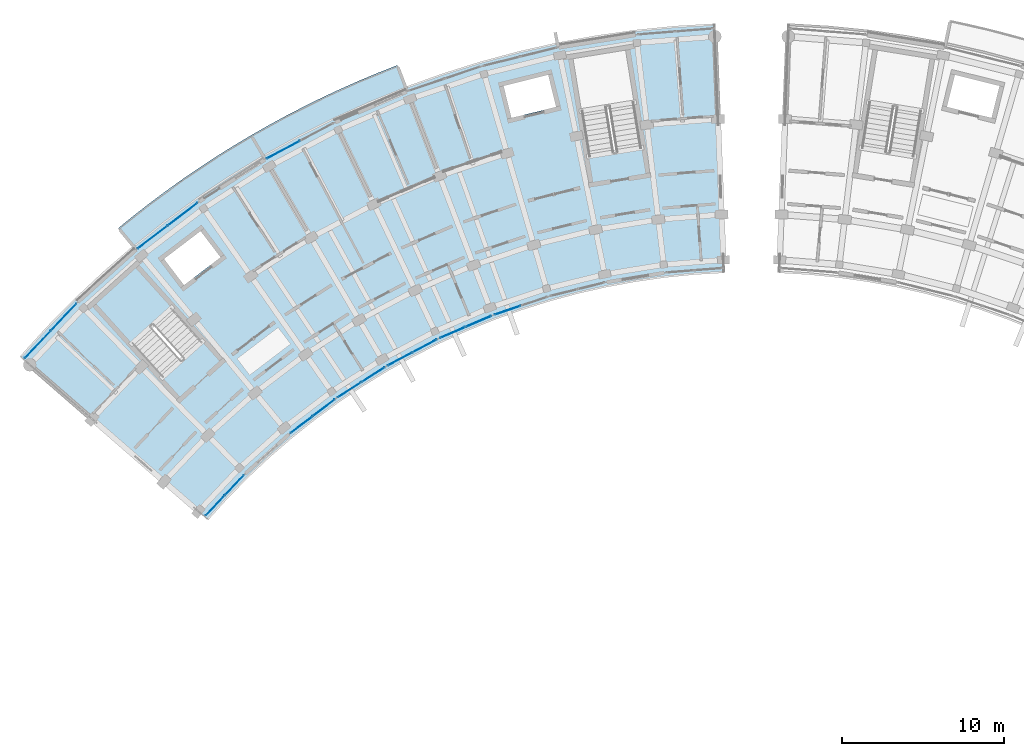
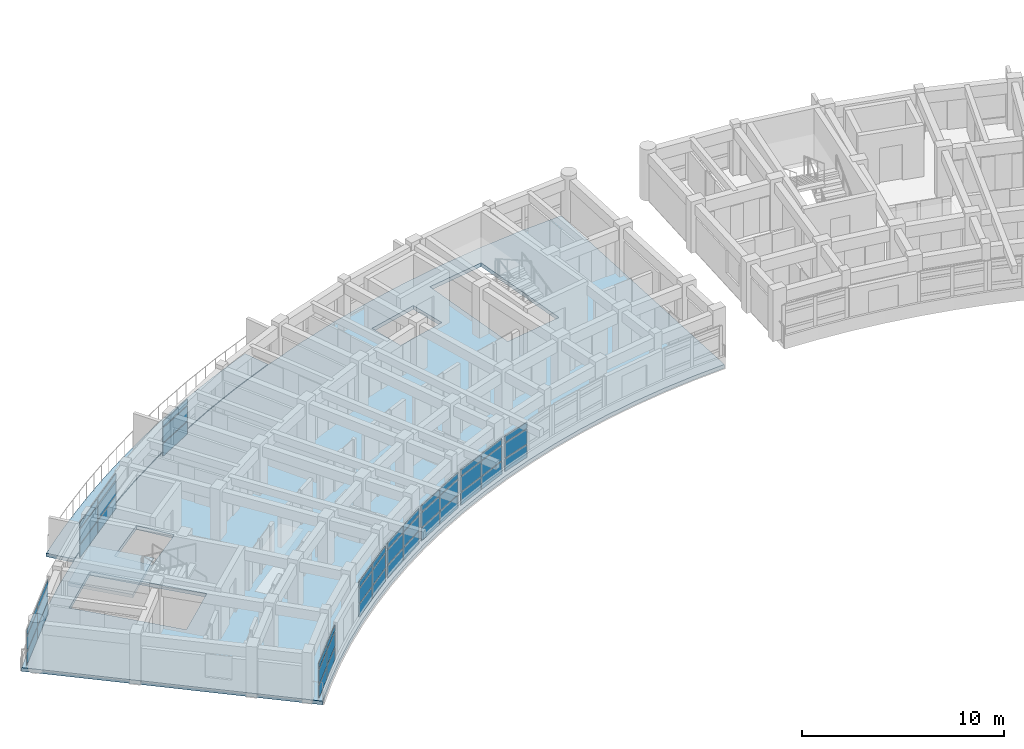
# One storey, part 21 of 55: 48 plates, 3 slabs, 10 elements without a shape of their own.
"""IFC4 building model written with IfcOpenShell, lengths in metres."""

from ifc_helpers import new_model, si_unit, direction, frame, origin, origin_2d, place, context, subcontext, project, spatial, polyline, rectangle, outline, extrude, material, layer, layer_set, type_object, element, aggregate, save


model = new_model("IFC4")

# Units and contexts
model_context = context("Model", 3, precision=1e-05, world=origin(), true_north=direction((0.0, 1.0)))
body_context = subcontext(model_context, "Body", "Model", "MODEL_VIEW")
ifc_project = project(units=[si_unit("LENGTHUNIT", "METRE"), si_unit("AREAUNIT", "SQUARE_METRE"), si_unit("VOLUMEUNIT", "CUBIC_METRE"), si_unit("PLANEANGLEUNIT", "RADIAN"), si_unit("MASSUNIT", "GRAM", prefix="KILO")], contexts=[model_context])

# Site, building, storey
site_placement = place(None, origin())
site = spatial("IfcSite", under=ifc_project, at=site_placement, CompositionType="ELEMENT")
building_placement = place(site_placement, origin())
building = spatial("IfcBuilding", under=site, at=building_placement, Name="Zimvara Arc Housing Community", CompositionType="ELEMENT")
storey_placement = place(building_placement, frame((0.0, 0.0, 14.300048828125)))
storey = spatial("IfcBuildingStorey", under=building, at=storey_placement, Name="L04", CompositionType="ELEMENT", Elevation=14.300048828125)

# Curtain wall, plates
ifc_material_1 = material(Name="Anodised Aluminium AW-6063", Category="aluminium")
curtain_wall_type_1 = type_object("IfcCurtainWallType", Name="CW-SYS-08", PredefinedType="USERDEFINED", material=ifc_material_1)
curtain_wall_1_placement = place(storey_placement, origin())
curtain_wall_1 = element("IfcCurtainWall", 1, at=curtain_wall_1_placement, inside=storey, type_object=curtain_wall_type_1, Name="cw:blkA:L04:in:b2", ObjectType="CURTAIN WALL", PredefinedType="USERDEFINED")
ifc_material_2 = material(Name="Pale-Gold Anodised Aluminium Spandrel Panel", Category="aluminium")
ifc_layer_1 = layer(ifc_material_2, 0.035888671875)
ifc_layer_set_1 = layer_set([ifc_layer_1], Name="Pale-Gold Anodised Aluminium Spandrel Panel")
plate_type_1 = type_object("IfcPlateType", Name="CWP-GLD-36", PredefinedType="CURTAIN_PANEL", material=ifc_layer_set_1)
plate_1_placement = place(storey_placement, frame((17.295654296875, 79.4404296875, 0.06494140625), z_axis=(0.0, 0.0, 1.0), x_axis=(0.795473543119, 0.605988318533, 0.0)))
plate_1 = element("IfcPlate", 2, at=plate_1_placement, type_object=plate_type_1, Name="CW08 panel 1.1", PredefinedType="CURTAIN_PANEL", context=body_context, shape_type="SweptSolid", body=[
    extrude(rectangle(XDim=1.664306640625, YDim=0.035888671875, at=origin_2d()), origin(), (0.0, 0.0, 1.0), 0.75244140625),
])
plate_2_placement = place(storey_placement, frame((17.295654296875, 79.4404296875, 0.88232421875), z_axis=(0.0, 0.0, 1.0), x_axis=(0.795473543119, 0.605988318533, 0.0)))
plate_2 = element("IfcPlate", 3, at=plate_2_placement, type_object=plate_type_1, Name="CW08 panel 1.2", PredefinedType="CURTAIN_PANEL", context=body_context, shape_type="SweptSolid", body=[
    extrude(rectangle(XDim=1.664306640625, YDim=0.035888671875, at=origin_2d()), origin(), (0.0, 0.0, 1.0), 0.885009765625),
])
plate_3_placement = place(storey_placement, frame((17.295654296875, 79.4404296875, 1.83251953125), z_axis=(0.0, 0.0, 1.0), x_axis=(0.795473543119, 0.605988318533, 0.0)))
plate_3 = element("IfcPlate", 4, at=plate_3_placement, type_object=plate_type_1, Name="CW08 panel 1.3", PredefinedType="CURTAIN_PANEL", context=body_context, shape_type="SweptSolid", body=[
    extrude(rectangle(XDim=1.664306640625, YDim=0.035888671875, at=origin_2d()), origin(), (0.0, 0.0, 1.0), 0.3525390625),
])
plate_4_placement = place(storey_placement, frame((18.671142578125, 80.48828125, 0.06494140625), z_axis=(0.0, 0.0, 1.0), x_axis=(0.795473543119, 0.605988318533, 0.0)))
plate_4 = element("IfcPlate", 5, at=plate_4_placement, type_object=plate_type_1, Name="CW08 panel 2.1", PredefinedType="CURTAIN_PANEL", context=body_context, shape_type="SweptSolid", body=[
    extrude(rectangle(XDim=1.664306640625, YDim=0.035888671875, at=origin_2d()), origin(), (0.0, 0.0, 1.0), 0.75244140625),
])
plate_5_placement = place(storey_placement, frame((18.671142578125, 80.48828125, 0.88232421875), z_axis=(0.0, 0.0, 1.0), x_axis=(0.795473543119, 0.605988318533, 0.0)))
plate_5 = element("IfcPlate", 6, at=plate_5_placement, type_object=plate_type_1, Name="CW08 panel 2.2", PredefinedType="CURTAIN_PANEL", context=body_context, shape_type="SweptSolid", body=[
    extrude(rectangle(XDim=1.664306640625, YDim=0.035888671875, at=origin_2d()), origin(), (0.0, 0.0, 1.0), 0.885009765625),
])
plate_6_placement = place(storey_placement, frame((18.671142578125, 80.48828125, 1.83251953125), z_axis=(0.0, 0.0, 1.0), x_axis=(0.795473543119, 0.605988318533, 0.0)))
plate_6 = element("IfcPlate", 7, at=plate_6_placement, type_object=plate_type_1, Name="CW08 panel 2.3", PredefinedType="CURTAIN_PANEL", context=body_context, shape_type="SweptSolid", body=[
    extrude(rectangle(XDim=1.664306640625, YDim=0.035888671875, at=origin_2d()), origin(), (0.0, 0.0, 1.0), 0.3525390625),
])
aggregate(curtain_wall_1, [plate_1, plate_2, plate_3, plate_4, plate_5, plate_6])

ifc_material_3 = material(Name="Anodised Aluminium AW-6063", Category="aluminium")
curtain_wall_type_2 = type_object("IfcCurtainWallType", Name="CW-SYS-04", PredefinedType="USERDEFINED", material=ifc_material_3)
curtain_wall_2_placement = place(storey_placement, origin())
curtain_wall_2 = element("IfcCurtainWall", 8, at=curtain_wall_2_placement, inside=storey, type_object=curtain_wall_type_2, Name="cw:blkA:L04:in:b5", ObjectType="CURTAIN WALL", PredefinedType="USERDEFINED")
plate_7_placement = place(storey_placement, frame((26.599609375, 85.11767578125, 0.06494140625), z_axis=(0.0, 0.0, 1.0), x_axis=(0.918722178415, 0.394904493375, 0.0)))
plate_7 = element("IfcPlate", 9, at=plate_7_placement, type_object=plate_type_1, Name="CW04 panel 1.1", PredefinedType="CURTAIN_PANEL", context=body_context, shape_type="SweptSolid", body=[
    extrude(rectangle(XDim=1.664306640625, YDim=0.035888671875, at=origin_2d()), origin(), (0.0, 0.0, 1.0), 0.75244140625),
])
plate_8_placement = place(storey_placement, frame((26.599609375, 85.11767578125, 0.88232421875), z_axis=(0.0, 0.0, 1.0), x_axis=(0.918722178415, 0.394904493375, 0.0)))
plate_8 = element("IfcPlate", 10, at=plate_8_placement, type_object=plate_type_1, Name="CW04 panel 1.2", PredefinedType="CURTAIN_PANEL", context=body_context, shape_type="SweptSolid", body=[
    extrude(rectangle(XDim=1.664306640625, YDim=0.035888671875, at=origin_2d()), origin(), (0.0, 0.0, 1.0), 0.885009765625),
])
plate_9_placement = place(storey_placement, frame((26.599609375, 85.11767578125, 1.83251953125), z_axis=(0.0, 0.0, 1.0), x_axis=(0.918722178415, 0.394904493375, 0.0)))
plate_9 = element("IfcPlate", 11, at=plate_9_placement, type_object=plate_type_1, Name="CW04 panel 1.3", PredefinedType="CURTAIN_PANEL", context=body_context, shape_type="SweptSolid", body=[
    extrude(rectangle(XDim=1.664306640625, YDim=0.035888671875, at=origin_2d()), origin(), (0.0, 0.0, 1.0), 0.3525390625),
])
plate_10_placement = place(storey_placement, frame((28.1884765625, 85.80078125, 0.06494140625), z_axis=(0.0, 0.0, 1.0), x_axis=(0.918722178415, 0.394904493375, 0.0)))
plate_10 = element("IfcPlate", 12, at=plate_10_placement, type_object=plate_type_1, Name="CW04 panel 2.1", PredefinedType="CURTAIN_PANEL", context=body_context, shape_type="SweptSolid", body=[
    extrude(rectangle(XDim=1.664306640625, YDim=0.035888671875, at=origin_2d()), origin(), (0.0, 0.0, 1.0), 0.75244140625),
])
plate_11_placement = place(storey_placement, frame((28.1884765625, 85.80078125, 0.88232421875), z_axis=(0.0, 0.0, 1.0), x_axis=(0.918722178415, 0.394904493375, 0.0)))
plate_11 = element("IfcPlate", 13, at=plate_11_placement, type_object=plate_type_1, Name="CW04 panel 2.2", PredefinedType="CURTAIN_PANEL", context=body_context, shape_type="SweptSolid", body=[
    extrude(rectangle(XDim=1.664306640625, YDim=0.035888671875, at=origin_2d()), origin(), (0.0, 0.0, 1.0), 0.885009765625),
])
plate_12_placement = place(storey_placement, frame((28.1884765625, 85.80078125, 1.83251953125), z_axis=(0.0, 0.0, 1.0), x_axis=(0.918722178415, 0.394904493375, 0.0)))
plate_12 = element("IfcPlate", 14, at=plate_12_placement, type_object=plate_type_1, Name="CW04 panel 2.3", PredefinedType="CURTAIN_PANEL", context=body_context, shape_type="SweptSolid", body=[
    extrude(rectangle(XDim=1.664306640625, YDim=0.035888671875, at=origin_2d()), origin(), (0.0, 0.0, 1.0), 0.3525390625),
])
aggregate(curtain_wall_2, [plate_7, plate_8, plate_9, plate_10, plate_11, plate_12])

ifc_material_4 = material(Name="Anodised Aluminium AW-6063", Category="aluminium")
curtain_wall_type_3 = type_object("IfcCurtainWallType", Name="CW-SYS-05", PredefinedType="USERDEFINED", material=ifc_material_4)
curtain_wall_3_placement = place(storey_placement, origin())
curtain_wall_3 = element("IfcCurtainWall", 15, at=curtain_wall_3_placement, inside=storey, type_object=curtain_wall_type_3, Name="cw:blkA:L04:out:b0", ObjectType="CURTAIN WALL", PredefinedType="USERDEFINED")
ifc_material_5 = material(Name="Solar Control Low-E Double Glazing", Category="glass")
ifc_layer_2 = layer(ifc_material_5, 0.02392578125)
ifc_layer_set_2 = layer_set([ifc_layer_2], Name="Solar Control Low-E Double Glazing")
plate_type_2 = type_object("IfcPlateType", Name="CWP-GLZ-24", PredefinedType="CURTAIN_PANEL", material=ifc_layer_set_2)
plate_13_placement = place(storey_placement, frame((1.049072265625, 84.3720703125, 0.06494140625), z_axis=(0.0, 0.0, 1.0), x_axis=(0.686326416495, 0.727293647725, 0.0)))
plate_13 = element("IfcPlate", 16, at=plate_13_placement, type_object=plate_type_2, Name="CW05 panel 1.1", PredefinedType="CURTAIN_PANEL", context=body_context, shape_type="SweptSolid", body=[
    extrude(rectangle(XDim=2.266845703125, YDim=0.02392578125, at=origin_2d()), origin(), (0.0, 0.0, 1.0), 0.75244140625),
])
plate_14_placement = place(storey_placement, frame((1.049072265625, 84.3720703125, 0.88232421875), z_axis=(0.0, 0.0, 1.0), x_axis=(0.686326416495, 0.727293647725, 0.0)))
plate_14 = element("IfcPlate", 17, at=plate_14_placement, type_object=plate_type_2, Name="CW05 panel 1.2", PredefinedType="CURTAIN_PANEL", context=body_context, shape_type="SweptSolid", body=[
    extrude(rectangle(XDim=2.266845703125, YDim=0.02392578125, at=origin_2d()), origin(), (0.0, 0.0, 1.0), 0.885009765625),
])
plate_15_placement = place(storey_placement, frame((1.049072265625, 84.3720703125, 1.83251953125), z_axis=(0.0, 0.0, 1.0), x_axis=(0.686326416495, 0.727293647725, 0.0)))
plate_15 = element("IfcPlate", 18, at=plate_15_placement, type_object=plate_type_2, Name="CW05 panel 1.3", PredefinedType="CURTAIN_PANEL", context=body_context, shape_type="SweptSolid", body=[
    extrude(rectangle(XDim=2.266845703125, YDim=0.02392578125, at=origin_2d()), origin(), (0.0, 0.0, 1.0), 0.3525390625),
])
plate_16_placement = place(storey_placement, frame((2.649658203125, 86.068115234375, 0.06494140625), z_axis=(0.0, 0.0, 1.0), x_axis=(0.686326416495, 0.727293647725, 0.0)))
plate_16 = element("IfcPlate", 19, at=plate_16_placement, type_object=plate_type_2, Name="CW05 panel 2.1", PredefinedType="CURTAIN_PANEL", context=body_context, shape_type="SweptSolid", body=[
    extrude(rectangle(XDim=2.266845703125, YDim=0.02392578125, at=origin_2d()), origin(), (0.0, 0.0, 1.0), 0.75244140625),
])
plate_17_placement = place(storey_placement, frame((2.649658203125, 86.068115234375, 0.88232421875), z_axis=(0.0, 0.0, 1.0), x_axis=(0.686326416495, 0.727293647725, 0.0)))
plate_17 = element("IfcPlate", 20, at=plate_17_placement, type_object=plate_type_2, Name="CW05 panel 2.2", PredefinedType="CURTAIN_PANEL", context=body_context, shape_type="SweptSolid", body=[
    extrude(rectangle(XDim=2.266845703125, YDim=0.02392578125, at=origin_2d()), origin(), (0.0, 0.0, 1.0), 0.885009765625),
])
plate_18_placement = place(storey_placement, frame((2.649658203125, 86.068115234375, 1.83251953125), z_axis=(0.0, 0.0, 1.0), x_axis=(0.686326416495, 0.727293647725, 0.0)))
plate_18 = element("IfcPlate", 21, at=plate_18_placement, type_object=plate_type_2, Name="CW05 panel 2.3", PredefinedType="CURTAIN_PANEL", context=body_context, shape_type="SweptSolid", body=[
    extrude(rectangle(XDim=2.266845703125, YDim=0.02392578125, at=origin_2d()), origin(), (0.0, 0.0, 1.0), 0.3525390625),
])
aggregate(curtain_wall_3, [plate_13, plate_14, plate_15, plate_16, plate_17, plate_18])

ifc_material_6 = material(Name="Anodised Aluminium AW-6063", Category="aluminium")
curtain_wall_type_4 = type_object("IfcCurtainWallType", Name="CW-SYS-01", PredefinedType="USERDEFINED", material=ifc_material_6)
curtain_wall_4_placement = place(storey_placement, origin())
curtain_wall_4 = element("IfcCurtainWall", 22, at=curtain_wall_4_placement, inside=storey, type_object=curtain_wall_type_4, Name="cw:blkA:L04:in:b3", ObjectType="CURTAIN WALL", PredefinedType="USERDEFINED")
plate_19_placement = place(storey_placement, frame((20.23876953125, 81.58447265625, 0.06494140625), z_axis=(0.0, 0.0, 1.0), x_axis=(0.842264751752, 0.539064085203, 0.0)))
plate_19 = element("IfcPlate", 23, at=plate_19_placement, type_object=plate_type_2, Name="CW01 panel 1.1", PredefinedType="CURTAIN_PANEL", context=body_context, shape_type="SweptSolid", body=[
    extrude(rectangle(XDim=1.664306640625, YDim=0.02392578125, at=origin_2d()), origin(), (0.0, 0.0, 1.0), 0.75244140625),
])
plate_20_placement = place(storey_placement, frame((20.23876953125, 81.58447265625, 0.88232421875), z_axis=(0.0, 0.0, 1.0), x_axis=(0.842264751752, 0.539064085203, 0.0)))
plate_20 = element("IfcPlate", 24, at=plate_20_placement, type_object=plate_type_2, Name="CW01 panel 1.2", PredefinedType="CURTAIN_PANEL", context=body_context, shape_type="SweptSolid", body=[
    extrude(rectangle(XDim=1.664306640625, YDim=0.02392578125, at=origin_2d()), origin(), (0.0, 0.0, 1.0), 0.885009765625),
])
plate_21_placement = place(storey_placement, frame((20.23876953125, 81.58447265625, 1.83251953125), z_axis=(0.0, 0.0, 1.0), x_axis=(0.842264751752, 0.539064085203, 0.0)))
plate_21 = element("IfcPlate", 25, at=plate_21_placement, type_object=plate_type_2, Name="CW01 panel 1.3", PredefinedType="CURTAIN_PANEL", context=body_context, shape_type="SweptSolid", body=[
    extrude(rectangle(XDim=1.664306640625, YDim=0.02392578125, at=origin_2d()), origin(), (0.0, 0.0, 1.0), 0.3525390625),
])
plate_22_placement = place(storey_placement, frame((21.6953125, 82.5166015625, 0.06494140625), z_axis=(0.0, 0.0, 1.0), x_axis=(0.842264751752, 0.539064085203, 0.0)))
plate_22 = element("IfcPlate", 26, at=plate_22_placement, type_object=plate_type_2, Name="CW01 panel 2.1", PredefinedType="CURTAIN_PANEL", context=body_context, shape_type="SweptSolid", body=[
    extrude(rectangle(XDim=1.664306640625, YDim=0.02392578125, at=origin_2d()), origin(), (0.0, 0.0, 1.0), 0.75244140625),
])
plate_23_placement = place(storey_placement, frame((21.6953125, 82.5166015625, 0.88232421875), z_axis=(0.0, 0.0, 1.0), x_axis=(0.842264751752, 0.539064085203, 0.0)))
plate_23 = element("IfcPlate", 27, at=plate_23_placement, type_object=plate_type_2, Name="CW01 panel 2.2", PredefinedType="CURTAIN_PANEL", context=body_context, shape_type="SweptSolid", body=[
    extrude(rectangle(XDim=1.664306640625, YDim=0.02392578125, at=origin_2d()), origin(), (0.0, 0.0, 1.0), 0.885009765625),
])
plate_24_placement = place(storey_placement, frame((21.6953125, 82.5166015625, 1.83251953125), z_axis=(0.0, 0.0, 1.0), x_axis=(0.842264751752, 0.539064085203, 0.0)))
plate_24 = element("IfcPlate", 28, at=plate_24_placement, type_object=plate_type_2, Name="CW01 panel 2.3", PredefinedType="CURTAIN_PANEL", context=body_context, shape_type="SweptSolid", body=[
    extrude(rectangle(XDim=1.664306640625, YDim=0.02392578125, at=origin_2d()), origin(), (0.0, 0.0, 1.0), 0.3525390625),
])
aggregate(curtain_wall_4, [plate_19, plate_20, plate_21, plate_22, plate_23, plate_24])

ifc_material_7 = material(Name="Anodised Aluminium AW-6063", Category="aluminium")
curtain_wall_type_5 = type_object("IfcCurtainWallType", Name="CW-SYS-06", PredefinedType="USERDEFINED", material=ifc_material_7)
curtain_wall_5_placement = place(storey_placement, origin())
curtain_wall_5 = element("IfcCurtainWall", 29, at=curtain_wall_5_placement, inside=storey, type_object=curtain_wall_type_5, Name="cw:blkA:L04:in:b0", ObjectType="CURTAIN WALL", PredefinedType="USERDEFINED")
ifc_material_8 = material(Name="Solar Control Low-E Double Glazing", Category="glass")
ifc_layer_3 = layer(ifc_material_8, 0.028076171875)
ifc_layer_set_3 = layer_set([ifc_layer_3], Name="Solar Control Low-E Double Glazing")
plate_type_3 = type_object("IfcPlateType", Name="CWP-GLZ-28", PredefinedType="CURTAIN_PANEL", material=ifc_layer_set_3)
plate_25_placement = place(storey_placement, frame((11.981689453125, 74.469482421875, 0.06494140625), z_axis=(0.0, 0.0, 1.0), x_axis=(0.686326805658, 0.727293280483, 0.0)))
plate_25 = element("IfcPlate", 30, at=plate_25_placement, type_object=plate_type_3, Name="CW06 panel 1.1", PredefinedType="CURTAIN_PANEL", context=body_context, shape_type="SweptSolid", body=[
    extrude(rectangle(XDim=1.664306640625, YDim=0.028076171875, at=origin_2d()), origin(), (0.0, 0.0, 1.0), 0.75244140625),
])
plate_26_placement = place(storey_placement, frame((11.981689453125, 74.469482421875, 0.88232421875), z_axis=(0.0, 0.0, 1.0), x_axis=(0.686326805658, 0.727293280483, 0.0)))
plate_26 = element("IfcPlate", 31, at=plate_26_placement, type_object=plate_type_3, Name="CW06 panel 1.2", PredefinedType="CURTAIN_PANEL", context=body_context, shape_type="SweptSolid", body=[
    extrude(rectangle(XDim=1.664306640625, YDim=0.028076171875, at=origin_2d()), origin(), (0.0, 0.0, 1.0), 0.885009765625),
])
plate_27_placement = place(storey_placement, frame((11.981689453125, 74.469482421875, 1.83251953125), z_axis=(0.0, 0.0, 1.0), x_axis=(0.686326805658, 0.727293280483, 0.0)))
plate_27 = element("IfcPlate", 32, at=plate_27_placement, type_object=plate_type_3, Name="CW06 panel 1.3", PredefinedType="CURTAIN_PANEL", context=body_context, shape_type="SweptSolid", body=[
    extrude(rectangle(XDim=1.664306640625, YDim=0.028076171875, at=origin_2d()), origin(), (0.0, 0.0, 1.0), 0.3525390625),
])
plate_28_placement = place(storey_placement, frame((13.168701171875, 75.727294921875, 0.06494140625), z_axis=(0.0, 0.0, 1.0), x_axis=(0.686326805658, 0.727293280483, 0.0)))
plate_28 = element("IfcPlate", 33, at=plate_28_placement, type_object=plate_type_3, Name="CW06 panel 2.1", PredefinedType="CURTAIN_PANEL", context=body_context, shape_type="SweptSolid", body=[
    extrude(rectangle(XDim=1.664306640625, YDim=0.028076171875, at=origin_2d()), origin(), (0.0, 0.0, 1.0), 0.75244140625),
])
plate_29_placement = place(storey_placement, frame((13.168701171875, 75.727294921875, 0.88232421875), z_axis=(0.0, 0.0, 1.0), x_axis=(0.686326805658, 0.727293280483, 0.0)))
plate_29 = element("IfcPlate", 34, at=plate_29_placement, type_object=plate_type_3, Name="CW06 panel 2.2", PredefinedType="CURTAIN_PANEL", context=body_context, shape_type="SweptSolid", body=[
    extrude(rectangle(XDim=1.664306640625, YDim=0.028076171875, at=origin_2d()), origin(), (0.0, 0.0, 1.0), 0.885009765625),
])
plate_30_placement = place(storey_placement, frame((13.168701171875, 75.727294921875, 1.83251953125), z_axis=(0.0, 0.0, 1.0), x_axis=(0.686326805658, 0.727293280483, 0.0)))
plate_30 = element("IfcPlate", 35, at=plate_30_placement, type_object=plate_type_3, Name="CW06 panel 2.3", PredefinedType="CURTAIN_PANEL", context=body_context, shape_type="SweptSolid", body=[
    extrude(rectangle(XDim=1.664306640625, YDim=0.028076171875, at=origin_2d()), origin(), (0.0, 0.0, 1.0), 0.3525390625),
])
aggregate(curtain_wall_5, [plate_25, plate_26, plate_27, plate_28, plate_29, plate_30])

ifc_material_9 = material(Name="Anodised Aluminium AW-6063", Category="aluminium")
curtain_wall_type_6 = type_object("IfcCurtainWallType", Name="CW-SYS-02", PredefinedType="USERDEFINED", material=ifc_material_9)
curtain_wall_6_placement = place(storey_placement, origin())
curtain_wall_6 = element("IfcCurtainWall", 36, at=curtain_wall_6_placement, inside=storey, type_object=curtain_wall_type_6, Name="cw:blkA:L04:out:b4", ObjectType="CURTAIN WALL", PredefinedType="USERDEFINED")
plate_31_placement = place(storey_placement, frame((16.1708984375, 96.36865234375, 0.06494140625), z_axis=(0.0, 0.0, 1.0), x_axis=(0.883438614651, 0.468546917761, 0.0)))
plate_31 = element("IfcPlate", 37, at=plate_31_placement, type_object=plate_type_3, Name="CW02 panel 1.1", PredefinedType="CURTAIN_PANEL", context=body_context, shape_type="SweptSolid", body=[
    extrude(rectangle(XDim=2.266845703125, YDim=0.028076171875, at=origin_2d()), origin(), (0.0, 0.0, 1.0), 0.75244140625),
])
plate_32_placement = place(storey_placement, frame((16.1708984375, 96.36865234375, 0.88232421875), z_axis=(0.0, 0.0, 1.0), x_axis=(0.883438614651, 0.468546917761, 0.0)))
plate_32 = element("IfcPlate", 38, at=plate_32_placement, type_object=plate_type_3, Name="CW02 panel 1.2", PredefinedType="CURTAIN_PANEL", context=body_context, shape_type="SweptSolid", body=[
    extrude(rectangle(XDim=2.266845703125, YDim=0.028076171875, at=origin_2d()), origin(), (0.0, 0.0, 1.0), 0.885009765625),
])
plate_33_placement = place(storey_placement, frame((16.1708984375, 96.36865234375, 1.83251953125), z_axis=(0.0, 0.0, 1.0), x_axis=(0.883438614651, 0.468546917761, 0.0)))
plate_33 = element("IfcPlate", 39, at=plate_33_placement, type_object=plate_type_3, Name="CW02 panel 1.3", PredefinedType="CURTAIN_PANEL", context=body_context, shape_type="SweptSolid", body=[
    extrude(rectangle(XDim=2.266845703125, YDim=0.028076171875, at=origin_2d()), origin(), (0.0, 0.0, 1.0), 0.3525390625),
])
aggregate(curtain_wall_6, [plate_31, plate_32, plate_33])

curtain_wall_7_placement = place(storey_placement, origin())
curtain_wall_7 = element("IfcCurtainWall", 40, at=curtain_wall_7_placement, inside=storey, type_object=curtain_wall_type_5, Name="cw:blkA:L04:in:b6", ObjectType="CURTAIN WALL", PredefinedType="USERDEFINED")
plate_34_placement = place(storey_placement, frame((29.97509765625, 86.483642578125, 0.06494140625), z_axis=(0.0, 0.0, 1.0), x_axis=(0.94787908732, 0.318630249383, 0.0)))
plate_34 = element("IfcPlate", 41, at=plate_34_placement, type_object=plate_type_3, Name="CW06 panel 1.1", PredefinedType="CURTAIN_PANEL", context=body_context, shape_type="SweptSolid", body=[
    extrude(rectangle(XDim=1.664306640625, YDim=0.028076171875, at=origin_2d()), origin(), (0.0, 0.0, 1.0), 0.75244140625),
])
plate_35_placement = place(storey_placement, frame((29.97509765625, 86.483642578125, 0.88232421875), z_axis=(0.0, 0.0, 1.0), x_axis=(0.94787908732, 0.318630249383, 0.0)))
plate_35 = element("IfcPlate", 42, at=plate_35_placement, type_object=plate_type_3, Name="CW06 panel 1.2", PredefinedType="CURTAIN_PANEL", context=body_context, shape_type="SweptSolid", body=[
    extrude(rectangle(XDim=1.664306640625, YDim=0.028076171875, at=origin_2d()), origin(), (0.0, 0.0, 1.0), 0.885009765625),
])
plate_36_placement = place(storey_placement, frame((29.97509765625, 86.483642578125, 1.83251953125), z_axis=(0.0, 0.0, 1.0), x_axis=(0.94787908732, 0.318630249383, 0.0)))
plate_36 = element("IfcPlate", 43, at=plate_36_placement, type_object=plate_type_3, Name="CW06 panel 1.3", PredefinedType="CURTAIN_PANEL", context=body_context, shape_type="SweptSolid", body=[
    extrude(rectangle(XDim=1.664306640625, YDim=0.028076171875, at=origin_2d()), origin(), (0.0, 0.0, 1.0), 0.3525390625),
])
aggregate(curtain_wall_7, [plate_34, plate_35, plate_36])

ifc_material_10 = material(Name="Anodised Aluminium AW-6063", Category="aluminium")
curtain_wall_type_7 = type_object("IfcCurtainWallType", Name="CW-SYS-07", PredefinedType="USERDEFINED", material=ifc_material_10)
curtain_wall_8_placement = place(storey_placement, origin())
curtain_wall_8 = element("IfcCurtainWall", 44, at=curtain_wall_8_placement, inside=storey, type_object=curtain_wall_type_7, Name="cw:blkA:L04:out:b2", ObjectType="CURTAIN WALL", PredefinedType="USERDEFINED")
ifc_material_11 = material(Name="Acoustic Laminated Solar Glazing", Category="glass")
ifc_layer_4 = layer(ifc_material_11, 0.031982421875)
ifc_layer_set_4 = layer_set([ifc_layer_4], Name="Acoustic Laminated Solar Glazing")
plate_type_4 = type_object("IfcPlateType", Name="CWP-GLZ-32", PredefinedType="CURTAIN_PANEL", material=ifc_layer_set_4)
plate_37_placement = place(storey_placement, frame((8.118896484375, 90.9892578125, 0.06494140625), z_axis=(0.0, 0.0, 1.0), x_axis=(0.795473999177, 0.60598771987, 0.0)))
plate_37 = element("IfcPlate", 45, at=plate_37_placement, type_object=plate_type_4, Name="CW07 panel 1.1", PredefinedType="CURTAIN_PANEL", context=body_context, shape_type="SweptSolid", body=[
    extrude(rectangle(XDim=2.266845703125, YDim=0.031982421875, at=origin_2d()), origin(), (0.0, 0.0, 1.0), 0.75244140625),
])
plate_38_placement = place(storey_placement, frame((8.118896484375, 90.9892578125, 0.88232421875), z_axis=(0.0, 0.0, 1.0), x_axis=(0.795473999177, 0.60598771987, 0.0)))
plate_38 = element("IfcPlate", 46, at=plate_38_placement, type_object=plate_type_4, Name="CW07 panel 1.2", PredefinedType="CURTAIN_PANEL", context=body_context, shape_type="SweptSolid", body=[
    extrude(rectangle(XDim=2.266845703125, YDim=0.031982421875, at=origin_2d()), origin(), (0.0, 0.0, 1.0), 0.885009765625),
])
plate_39_placement = place(storey_placement, frame((8.118896484375, 90.9892578125, 1.83251953125), z_axis=(0.0, 0.0, 1.0), x_axis=(0.795473999177, 0.60598771987, 0.0)))
plate_39 = element("IfcPlate", 47, at=plate_39_placement, type_object=plate_type_4, Name="CW07 panel 1.3", PredefinedType="CURTAIN_PANEL", context=body_context, shape_type="SweptSolid", body=[
    extrude(rectangle(XDim=2.266845703125, YDim=0.031982421875, at=origin_2d()), origin(), (0.0, 0.0, 1.0), 0.3525390625),
])
plate_40_placement = place(storey_placement, frame((9.973876953125, 92.40234375, 0.06494140625), z_axis=(0.0, 0.0, 1.0), x_axis=(0.795473999177, 0.60598771987, 0.0)))
plate_40 = element("IfcPlate", 48, at=plate_40_placement, type_object=plate_type_4, Name="CW07 panel 2.1", PredefinedType="CURTAIN_PANEL", context=body_context, shape_type="SweptSolid", body=[
    extrude(rectangle(XDim=2.266845703125, YDim=0.031982421875, at=origin_2d()), origin(), (0.0, 0.0, 1.0), 0.75244140625),
])
plate_41_placement = place(storey_placement, frame((9.973876953125, 92.40234375, 0.88232421875), z_axis=(0.0, 0.0, 1.0), x_axis=(0.795473999177, 0.60598771987, 0.0)))
plate_41 = element("IfcPlate", 49, at=plate_41_placement, type_object=plate_type_4, Name="CW07 panel 2.2", PredefinedType="CURTAIN_PANEL", context=body_context, shape_type="SweptSolid", body=[
    extrude(rectangle(XDim=2.266845703125, YDim=0.031982421875, at=origin_2d()), origin(), (0.0, 0.0, 1.0), 0.885009765625),
])
plate_42_placement = place(storey_placement, frame((9.973876953125, 92.40234375, 1.83251953125), z_axis=(0.0, 0.0, 1.0), x_axis=(0.795473999177, 0.60598771987, 0.0)))
plate_42 = element("IfcPlate", 50, at=plate_42_placement, type_object=plate_type_4, Name="CW07 panel 2.3", PredefinedType="CURTAIN_PANEL", context=body_context, shape_type="SweptSolid", body=[
    extrude(rectangle(XDim=2.266845703125, YDim=0.031982421875, at=origin_2d()), origin(), (0.0, 0.0, 1.0), 0.3525390625),
])
aggregate(curtain_wall_8, [plate_37, plate_38, plate_39, plate_40, plate_41, plate_42])

ifc_material_12 = material(Name="Anodised Aluminium AW-6063", Category="aluminium")
curtain_wall_type_8 = type_object("IfcCurtainWallType", Name="CW-SYS-03", PredefinedType="USERDEFINED", material=ifc_material_12)
curtain_wall_9_placement = place(storey_placement, origin())
curtain_wall_9 = element("IfcCurtainWall", 51, at=curtain_wall_9_placement, inside=storey, type_object=curtain_wall_type_8, Name="cw:blkA:L04:in:b4", ObjectType="CURTAIN WALL", PredefinedType="USERDEFINED")
plate_43_placement = place(storey_placement, frame((23.346923828125, 83.48095703125, 0.06494140625), z_axis=(0.0, 0.0, 1.0), x_axis=(0.88343981815, 0.468544648573, 0.0)))
plate_43 = element("IfcPlate", 52, at=plate_43_placement, type_object=plate_type_4, Name="CW03 panel 1.1", PredefinedType="CURTAIN_PANEL", context=body_context, shape_type="SweptSolid", body=[
    extrude(rectangle(XDim=1.664306640625, YDim=0.031982421875, at=origin_2d()), origin(), (0.0, 0.0, 1.0), 0.75244140625),
])
plate_44_placement = place(storey_placement, frame((23.346923828125, 83.48095703125, 0.88232421875), z_axis=(0.0, 0.0, 1.0), x_axis=(0.88343981815, 0.468544648573, 0.0)))
plate_44 = element("IfcPlate", 53, at=plate_44_placement, type_object=plate_type_4, Name="CW03 panel 1.2", PredefinedType="CURTAIN_PANEL", context=body_context, shape_type="SweptSolid", body=[
    extrude(rectangle(XDim=1.664306640625, YDim=0.031982421875, at=origin_2d()), origin(), (0.0, 0.0, 1.0), 0.885009765625),
])
plate_45_placement = place(storey_placement, frame((23.346923828125, 83.48095703125, 1.83251953125), z_axis=(0.0, 0.0, 1.0), x_axis=(0.88343981815, 0.468544648573, 0.0)))
plate_45 = element("IfcPlate", 54, at=plate_45_placement, type_object=plate_type_4, Name="CW03 panel 1.3", PredefinedType="CURTAIN_PANEL", context=body_context, shape_type="SweptSolid", body=[
    extrude(rectangle(XDim=1.664306640625, YDim=0.031982421875, at=origin_2d()), origin(), (0.0, 0.0, 1.0), 0.3525390625),
])
plate_46_placement = place(storey_placement, frame((24.874755859375, 84.291259765625, 0.06494140625), z_axis=(0.0, 0.0, 1.0), x_axis=(0.88343981815, 0.468544648573, 0.0)))
plate_46 = element("IfcPlate", 55, at=plate_46_placement, type_object=plate_type_4, Name="CW03 panel 2.1", PredefinedType="CURTAIN_PANEL", context=body_context, shape_type="SweptSolid", body=[
    extrude(rectangle(XDim=1.664306640625, YDim=0.031982421875, at=origin_2d()), origin(), (0.0, 0.0, 1.0), 0.75244140625),
])
plate_47_placement = place(storey_placement, frame((24.874755859375, 84.291259765625, 0.88232421875), z_axis=(0.0, 0.0, 1.0), x_axis=(0.88343981815, 0.468544648573, 0.0)))
plate_47 = element("IfcPlate", 56, at=plate_47_placement, type_object=plate_type_4, Name="CW03 panel 2.2", PredefinedType="CURTAIN_PANEL", context=body_context, shape_type="SweptSolid", body=[
    extrude(rectangle(XDim=1.664306640625, YDim=0.031982421875, at=origin_2d()), origin(), (0.0, 0.0, 1.0), 0.885009765625),
])
plate_48_placement = place(storey_placement, frame((24.874755859375, 84.291259765625, 1.83251953125), z_axis=(0.0, 0.0, 1.0), x_axis=(0.88343981815, 0.468544648573, 0.0)))
plate_48 = element("IfcPlate", 57, at=plate_48_placement, type_object=plate_type_4, Name="CW03 panel 2.3", PredefinedType="CURTAIN_PANEL", context=body_context, shape_type="SweptSolid", body=[
    extrude(rectangle(XDim=1.664306640625, YDim=0.031982421875, at=origin_2d()), origin(), (0.0, 0.0, 1.0), 0.3525390625),
])
aggregate(curtain_wall_9, [plate_43, plate_44, plate_45, plate_46, plate_47, plate_48])

# Stair, slab
ifc_material_13 = material(Name="Concrete C35/45", Category="concrete")
stair_type = type_object("IfcStairType", Name="STR-DL-312-310", PredefinedType="HALF_TURN_STAIR", material=ifc_material_13)
stair_placement = place(storey_placement, origin())
stair = element("IfcStair", 58, at=stair_placement, inside=storey, type_object=stair_type, Name="L04 Block A Exit Stair 1", PredefinedType="HALF_TURN_STAIR")
ifc_material_14 = material(Name="Concrete C35/45", Category="concrete")
ifc_layer_5 = layer(ifc_material_14, 0.199951171875)
ifc_layer_set_5 = layer_set([ifc_layer_5], Name="Concrete C35/45")
slab_type_1 = type_object("IfcSlabType", Name="SLB-STAIR-LND-200", PredefinedType="LANDING", material=ifc_layer_set_5)
slab_1_placement = place(storey_placement, frame((0.0, 0.0, 1.349853515625)))
slab_1 = element("IfcSlab", 59, at=slab_1_placement, type_object=slab_type_1, Name="ST-A1 landing 1", PredefinedType="LANDING", context=body_context, shape_type="SweptSolid", body=[
    extrude(outline(polyline([(9.3486328125, 86.634521484375), (7.09326171875, 89.14111328125), (4.595458984375, 86.8935546875), (6.850830078125, 84.386962890625), (9.3486328125, 86.634521484375)])), origin(), (0.0, 0.0, 1.0), 0.2001953125),
])
aggregate(stair, [slab_1])

# Slabs
ifc_material_15 = material(Name="Concrete C35/45", Category="concrete")
ifc_layer_6 = layer(ifc_material_15, 0.2099609375)
ifc_layer_set_6 = layer_set([ifc_layer_6], Name="Concrete C35/45")
slab_type_2 = type_object("IfcSlabType", Name="SLB-TER-210", PredefinedType="FLOOR", material=ifc_layer_set_6)
slab_2_placement = place(storey_placement, frame((0.0, 0.0, -0.2099609375)))
element("IfcSlab", 60, at=slab_2_placement, inside=storey, type_object=slab_type_2, Name="slab:blkA:L04:bal_out", PredefinedType="FLOOR", context=body_context, shape_type="SweptSolid", body=[
    extrude(outline(polyline([(6.0205078125, 91.55126953125), (6.958251953125, 90.419189453125), (6.958740234375, 90.41943359375), (8.864501953125, 91.93359375), (8.865478515625, 91.9345703125), (10.831298828125, 93.36962890625), (10.832275390625, 93.370361328125), (12.85498046875, 94.723876953125), (12.856201171875, 94.724609375), (14.932373046875, 95.994384765625), (14.93359375, 95.9951171875), (17.06005859375, 97.17919921875), (17.06103515625, 97.1796875), (19.234130859375, 98.27587890625), (19.2353515625, 98.276611328125), (21.451416015625, 99.283203125), (21.452392578125, 99.28369140625), (23.707763671875, 100.198974609375), (23.708251953125, 100.19921875), (23.183349609375, 101.572265625), (22.0224609375, 101.114990234375), (20.871337890625, 100.634033203125), (19.730224609375, 100.129638671875), (18.599609375, 99.60205078125), (17.47998046875, 99.051513671875), (16.371826171875, 98.47802734375), (15.275634765625, 97.88232421875), (14.19189453125, 97.26416015625), (13.120849609375, 96.624267578125), (12.063232421875, 95.96240234375), (11.019287109375, 95.279052734375), (9.989501953125, 94.57470703125), (8.974365234375, 93.849365234375), (7.97412109375, 93.103515625), (6.989501953125, 92.337158203125), (6.0205078125, 91.55126953125)])), origin(), (0.0, 0.0, 1.0), 0.2099609375),
])
ifc_material_16 = material(Name="Concrete C35/45", Category="concrete")
ifc_layer_7 = layer(ifc_material_16, 0.22802734375)
ifc_layer_set_7 = layer_set([ifc_layer_7], Name="Concrete C35/45")
slab_type_3 = type_object("IfcSlabType", Name="SLB-VAR-05", PredefinedType="FLOOR", material=ifc_layer_set_7)
slab_3_placement = place(storey_placement, frame((0.0, 0.0, -0.22802734375)))
element("IfcSlab", 61, at=slab_3_placement, inside=storey, type_object=slab_type_3, Name="slab:blkA:L04:main", PredefinedType="FLOOR", context=body_context, shape_type="SweptSolid", body=[
    extrude(outline(polyline([(11.490966796875, 73.62890625), (12.708251953125, 74.972900390625), (13.979248046875, 76.265869140625), (15.302001953125, 77.506103515625), (16.674560546875, 78.69091796875), (18.093994140625, 79.819091796875), (19.55859375, 80.88818359375), (21.0654296875, 81.896484375), (22.6123046875, 82.842529296875), (24.196533203125, 83.724609375), (25.8154296875, 84.541259765625), (27.46630859375, 85.291259765625), (29.146240234375, 85.97314453125), (30.852783203125, 86.5859375), (32.5830078125, 87.12841796875), (34.333984375, 87.599853515625), (36.1025390625, 87.999267578125), (37.885986328125, 88.326416015625), (39.681396484375, 88.580322265625), (41.485595703125, 88.7607421875), (43.295654296875, 88.8671875), (42.712158203125, 104.05615234375), (40.282470703125, 103.9130859375), (37.860595703125, 103.6708984375), (35.450439453125, 103.330078125), (33.056640625, 102.89111328125), (30.682373046875, 102.354736328125), (28.332275390625, 101.721923828125), (26.009765625, 100.99365234375), (23.718994140625, 100.171142578125), (21.463623046875, 99.255859375), (19.247802734375, 98.249267578125), (17.07470703125, 97.15283203125), (14.947998046875, 95.96875), (12.871826171875, 94.698974609375), (10.848876953125, 93.34521484375), (8.883056640625, 91.91015625), (6.9775390625, 90.39599609375), (5.13525390625, 88.805419921875), (3.359619140625, 87.140869140625), (1.6533203125, 85.405029296875), (0.019287109375, 83.60107421875), (11.490966796875, 73.62890625)]), holes=[polyline([(8.73193359375, 82.356201171875), (4.65185546875, 86.890625), (7.090087890625, 89.08447265625), (11.17041015625, 84.550048828125), (8.73193359375, 82.356201171875)]), polyline([(34.9853515625, 95.960205078125), (34.008056640625, 101.9814453125), (37.24560546875, 102.507080078125), (38.222900390625, 96.48583984375), (34.9853515625, 95.960205078125)]), polyline([(10.05615234375, 88.02685546875), (8.820068359375, 89.649658203125), (11.0791015625, 91.37060546875), (12.3154296875, 89.747802734375), (10.05615234375, 88.02685546875)]), polyline([(30.216796875, 98.324951171875), (29.726806640625, 100.30517578125), (32.483642578125, 100.9873046875), (32.9736328125, 99.007080078125), (30.216796875, 98.324951171875)])]), origin(), (0.0, 0.0, 1.0), 0.22802734375),
])

save(model, "model.ifc")
